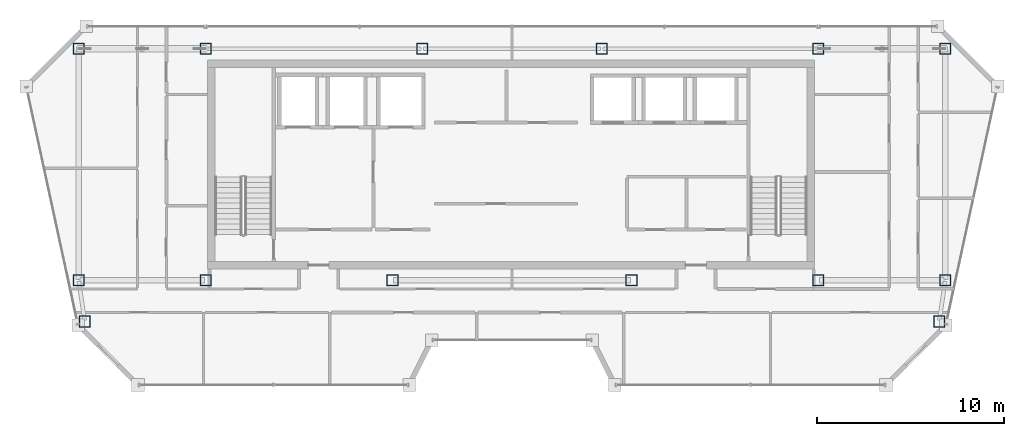
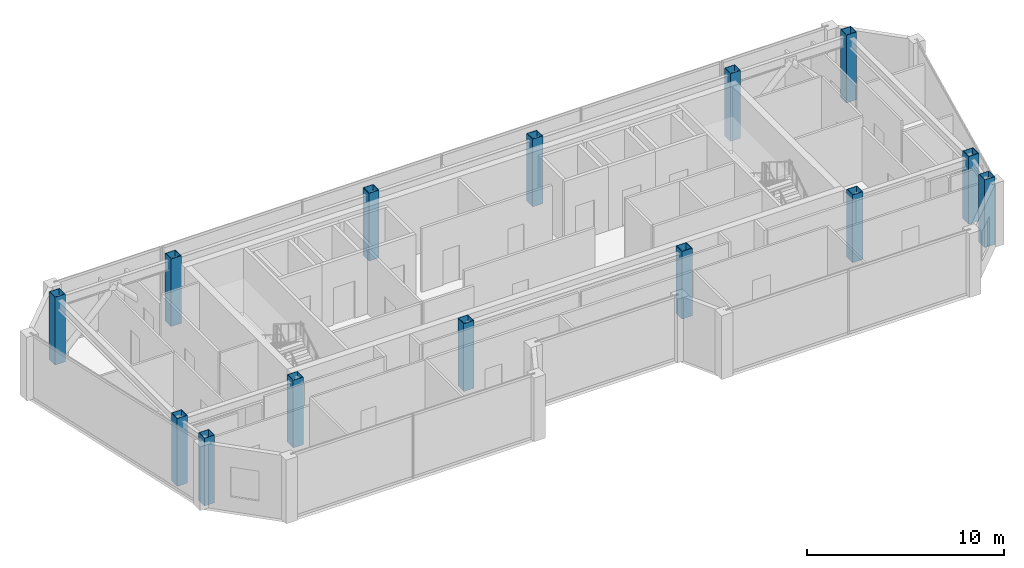
# One storey, part 1 of 20: 14 columns.
"""IFC4 building model written with IfcOpenShell, lengths in metres."""

from ifc_helpers import new_model, si_unit, direction, frame, origin, origin_2d, place, context, subcontext, project, spatial, hollow_rectangle, extrude, material, material_profile, profile_set, type_object, element, save


model = new_model("IFC4")

# Units and contexts
model_context = context("Model", 3, precision=1e-05, world=origin(), true_north=direction((0.0, 1.0)))
body_context = subcontext(model_context, "Body", "Model", "MODEL_VIEW")
ifc_project = project(units=[si_unit("LENGTHUNIT", "METRE"), si_unit("AREAUNIT", "SQUARE_METRE"), si_unit("VOLUMEUNIT", "CUBIC_METRE"), si_unit("PLANEANGLEUNIT", "RADIAN"), si_unit("MASSUNIT", "GRAM", prefix="KILO")], contexts=[model_context])

# Site, building, storey
site_placement = place(None, origin())
site = spatial("IfcSite", under=ifc_project, at=site_placement, CompositionType="ELEMENT")
building_placement = place(site_placement, origin())
building = spatial("IfcBuilding", under=site, at=building_placement, Name="Saevonmaru Cultural Tower", CompositionType="ELEMENT")
storey_placement = place(building_placement, frame((0.0, 0.0, 319.199951171875)))
storey = spatial("IfcBuildingStorey", under=building, at=storey_placement, Name="L76", CompositionType="ELEMENT", Elevation=319.199951171875)

# Columns
ifc_material = material(Name="Steel SM355", Category="steel")
ifc_material_profile = material_profile(ifc_material, hollow_rectangle(XDim=0.60009765625, YDim=0.60009765625, WallThickness=0.028076171875, at=origin_2d()), Name="BOX-600x600x28")
ifc_profile_set = profile_set([ifc_material_profile], Name="Steel SM355")
column_type = type_object("IfcColumnType", Name="COL-BOX-600", PredefinedType="COLUMN", material=ifc_profile_set)
for number, where, z_axis, x_axis, name in (
    (1, (6.800048828125, 54.800048828125, 0.0), (0.0, 0.0, 1.0), (1.0, 0.0, 0.0), "L76 Column TC-N1N"),
    (2, (13.60009765625, 54.800048828125, 0.0), (0.0, 0.0, 1.0), (1.0, 0.0, 0.0), "L76 Column TC-N2N"),
    (3, (25.199951171875, 54.800048828125, 0.0), (0.0, 0.0, 1.0), (1.0, 0.0, 0.0), "L76 Column TC-N3N"),
    (4, (34.800048828125, 54.800048828125, 0.0), (0.0, 0.0, 1.0), (1.0, 0.0, 0.0), "L76 Column TC-N4N"),
    (5, (46.39990234375, 54.800048828125, 0.0), (0.0, 0.0, 1.0), (1.0, 0.0, 0.0), "L76 Column TC-N5N"),
    (6, (53.199951171875, 54.800048828125, 0.0), (0.0, 0.0, 1.0), (1.0, 0.0, 0.0), "L76 Column TC-N6N"),
    (7, (6.800048828125, 42.39990234375, 0.0), (0.0, 0.0, 1.0), (1.0, 0.0, 0.0), "L76 Column TC-S1C"),
    (8, (13.60009765625, 42.39990234375, 0.0), (0.0, 0.0, 1.0), (1.0, 0.0, 0.0), "L76 Column TC-S2C"),
    (9, (23.60009765625, 42.39990234375, 0.0), (0.0, 0.0, 1.0), (1.0, 0.0, 0.0), "L76 Column TC-S3C"),
    (10, (36.39990234375, 42.39990234375, 0.0), (0.0, 0.0, 1.0), (1.0, 0.0, 0.0), "L76 Column TC-S4C"),
    (11, (46.39990234375, 42.39990234375, 0.0), (0.0, 0.0, 1.0), (1.0, 0.0, 0.0), "L76 Column TC-S5C"),
    (12, (53.199951171875, 42.39990234375, 0.0), (0.0, 0.0, 1.0), (1.0, 0.0, 0.0), "L76 Column TC-S6C"),
    (13, (7.132080078125, 40.199951171875, 0.0), (0.0, 0.0, 1.0), (1.0, 0.0, 0.0), "L76 Column TC-WO-Y402"),
    (14, (52.867919921875, 40.199951171875, 0.0), (0.0, 0.0, 1.0), (1.0, 0.0, 0.0), "L76 Column TC-EO-Y402"),
):
    element("IfcColumn", number, at=place(storey_placement, frame(where, z_axis=z_axis, x_axis=x_axis)), inside=storey, type_object=column_type, Name=name, PredefinedType="COLUMN", context=body_context, shape_type="SweptSolid", body=[
        extrude(hollow_rectangle(XDim=0.60009765625, YDim=0.60009765625, WallThickness=0.028076171875, at=origin_2d()), origin(), (0.0, 0.0, 1.0), 4.199951171875),
    ])

save(model, "model.ifc")
